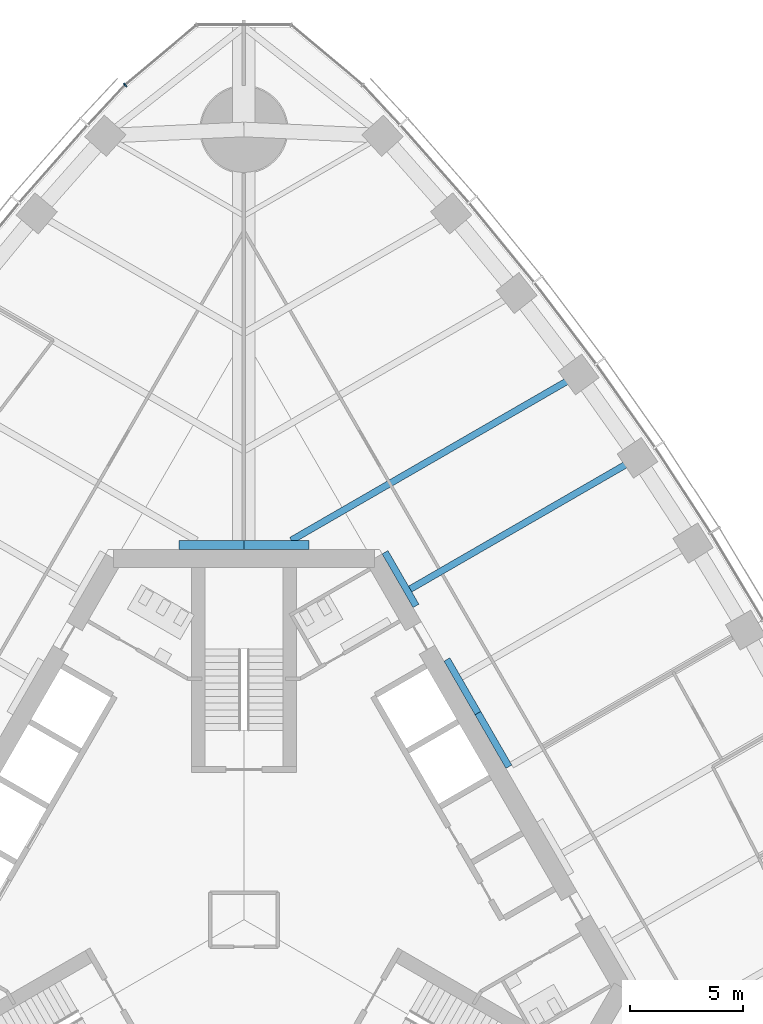
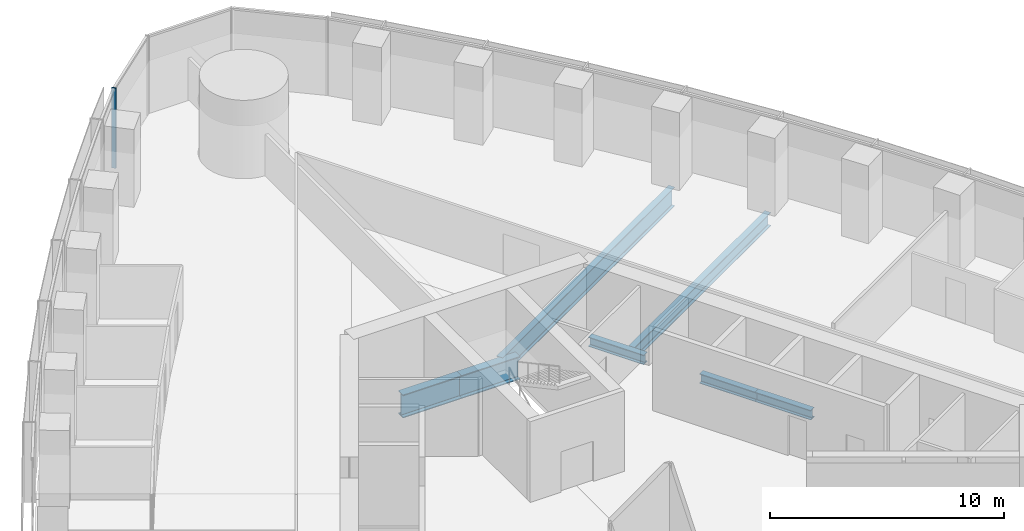
# One storey, part 5 of 19: 7 beams, 1 member, 1 element without a shape of its own.
"""IFC4 building model written with IfcOpenShell, lengths in metres."""

from ifc_helpers import new_model, si_unit, direction, frame, origin, origin_2d, place, context, subcontext, project, spatial, rectangle, i_section, extrude, material, material_profile, profile_set, type_object, element, aggregate, save


model = new_model("IFC4")

# Units and contexts
model_context = context("Model", 3, precision=1e-05, world=origin(), true_north=direction((0.0, 1.0)))
body_context = subcontext(model_context, "Body", "Model", "MODEL_VIEW")
ifc_project = project(units=[si_unit("LENGTHUNIT", "METRE"), si_unit("AREAUNIT", "SQUARE_METRE"), si_unit("VOLUMEUNIT", "CUBIC_METRE"), si_unit("PLANEANGLEUNIT", "RADIAN"), si_unit("MASSUNIT", "GRAM", prefix="KILO")], contexts=[model_context])

# Site, building, storey
site_placement = place(None, origin())
site = spatial("IfcSite", under=ifc_project, at=site_placement, CompositionType="ELEMENT")
building_placement = place(site_placement, origin())
building = spatial("IfcBuilding", under=site, at=building_placement, Name="Trefoil Bronze Tower", CompositionType="ELEMENT")
storey_placement = place(building_placement, frame((0.0, 0.0, 132.5)))
storey = spatial("IfcBuildingStorey", under=building, at=storey_placement, Name="L30", CompositionType="ELEMENT", Elevation=132.5)

# Curtain wall, member
ifc_material_1 = material(Name="Tinted solar-control glass", Category="glass")
curtain_wall_type = type_object("IfcCurtainWallType", Name="Bronze rounded corner curtain wall", PredefinedType="USERDEFINED", material=ifc_material_1)
curtain_wall_placement = place(storey_placement, origin())
curtain_wall = element("IfcCurtainWall", 1, at=curtain_wall_placement, inside=storey, type_object=curtain_wall_type, Name="CW-B L30 K2", ObjectType="CURTAIN WALL", PredefinedType="USERDEFINED")
ifc_material_2 = material(Name="Bronze-finish aluminium", Category="aluminium")
ifc_material_profile_1 = material_profile(ifc_material_2, rectangle(XDim=0.199951171875, YDim=0.06005859375, at=origin_2d()), Name="CW-B mullion")
ifc_profile_set_1 = profile_set([ifc_material_profile_1], Name="Bronze-finish aluminium")
member_type = type_object("IfcMemberType", Name="Bronze rounded corner curtain wall mullion", PredefinedType="MULLION", material=ifc_profile_set_1)
member_placement = place(storey_placement, frame((-5.260498046875, 36.975830078125, 0.0), z_axis=(0.0, 0.0, 1.0), x_axis=(0.642787609687, -0.766044443119, 0.0)))
member = element("IfcMember", 2, at=member_placement, type_object=member_type, Name="CW-B L30 K2 mullion 4", PredefinedType="MULLION", context=body_context, shape_type="SweptSolid", body=[
    extrude(rectangle(XDim=0.199951171875, YDim=0.06005859375, at=origin_2d()), origin(), (0.0, 0.0, 1.0), 4.179931640625),
])
aggregate(curtain_wall, [member])

# Beams
ifc_material_3 = material(Name="Steel C355", Category="steel")
ifc_material_profile_2 = material_profile(ifc_material_3, i_section(OverallWidth=0.300048828125, OverallDepth=0.5, WebThickness=0.014404296875, FlangeThickness=0.028076171875, FilletRadius=0.027099609375, at=origin_2d()), Name="HEB 500")
ifc_profile_set_2 = profile_set([ifc_material_profile_2], Name="Steel C355")
beam_type_1 = type_object("IfcBeamType", Name="Core seat beam HEB 500", PredefinedType="BEAM", material=ifc_profile_set_2)
for number, where, z_axis, x_axis, name in (
    (3, (11.734619140625, 6.77490234375, -0.449951171875), (-0.499969057507, 0.866043267704, 0.0), (-0.866043267704, -0.499969057507, 0.0), "Core seat beam F2/+0 L30"),
    (4, (10.363525390625, 9.14990234375, -0.449951171875), (-0.500035825175, 0.866004719122, 0.0), (-0.866004719122, -0.500035825175, 0.0), "Core seat beam F2/+1 L30"),
    (5, (7.62109375, 13.89990234375, -0.449951171875), (-0.500035825175, 0.866004719122, 0.0), (-0.866004719122, -0.500035825175, 0.0), "Core seat beam F2/+2 L30"),
):
    element("IfcBeam", number, at=place(storey_placement, frame(where, z_axis=z_axis, x_axis=x_axis)), inside=storey, type_object=beam_type_1, Name=name, PredefinedType="BEAM", context=body_context, shape_type="SweptSolid", body=[
        extrude(i_section(OverallWidth=0.300048828125, OverallDepth=0.5, WebThickness=0.014404296875, FlangeThickness=0.028076171875, FilletRadius=0.027099609375, at=origin_2d()), origin(), (0.0, 0.0, 1.0), 2.742431640625),
    ])
ifc_material_4 = material(Name="Steel C355", Category="steel")
ifc_material_profile_3 = material_profile(ifc_material_4, i_section(OverallWidth=0.39990234375, OverallDepth=1.199951171875, WebThickness=0.02001953125, FlangeThickness=0.0400390625, FilletRadius=0.010009765625, at=origin_2d()), Name="WPG 1200")
ifc_profile_set_3 = profile_set([ifc_material_profile_3], Name="Steel C355")
beam_type_2 = type_object("IfcBeamType", Name="Core seat beam WPG 1200", PredefinedType="BEAM", material=ifc_profile_set_3)
for number, where, z_axis, x_axis, name in (
    (6, (2.88671875, 16.60009765625, -0.800048828125), (-1.0, 0.0, 0.0), (0.0, -1.0, 0.0), "Core seat beam F2/+3 L30"),
    (7, (0.0, 16.60009765625, -0.800048828125), (-1.0, 0.0, 0.0), (0.0, -1.0, 0.0), "Core seat beam F3/-3 L30"),
):
    element("IfcBeam", number, at=place(storey_placement, frame(where, z_axis=z_axis, x_axis=x_axis)), inside=storey, type_object=beam_type_2, Name=name, PredefinedType="BEAM", context=body_context, shape_type="SweptSolid", body=[
        extrude(i_section(OverallWidth=0.39990234375, OverallDepth=1.199951171875, WebThickness=0.02001953125, FlangeThickness=0.0400390625, FilletRadius=0.010009765625, at=origin_2d()), origin(), (0.0, 0.0, 1.0), 2.88671875),
    ])
ifc_material_5 = material(Name="Steel C355", Category="steel")
ifc_material_profile_4 = material_profile(ifc_material_5, i_section(OverallWidth=0.300048828125, OverallDepth=1.0, WebThickness=0.01904296875, FlangeThickness=0.035888671875, FilletRadius=0.030029296875, at=origin_2d()), Name="HEB 1000")
ifc_profile_set_4 = profile_set([ifc_material_profile_4], Name="Steel C355")
beam_type_3 = type_object("IfcBeamType", Name="Floor beam HEB 1000", PredefinedType="BEAM", material=ifc_profile_set_4)
beam_1_placement = place(storey_placement, frame((14.825439453125, 24.14794921875, -0.699951171875), z_axis=(-0.866027342682, -0.499996641717, 0.0), x_axis=(0.499996641717, -0.866027342682, 0.0)))
element("IfcBeam", 8, at=beam_1_placement, inside=storey, type_object=beam_type_3, Name="Floor beam F2/+3 L30", PredefinedType="BEAM", context=body_context, shape_type="SweptSolid", body=[
    extrude(i_section(OverallWidth=0.300048828125, OverallDepth=1.0, WebThickness=0.01904296875, FlangeThickness=0.035888671875, FilletRadius=0.030029296875, at=origin_2d()), origin(), (0.0, 0.0, 1.0), 14.69580078125),
])
ifc_material_6 = material(Name="Steel C355", Category="steel")
ifc_material_profile_5 = material_profile(ifc_material_6, i_section(OverallWidth=0.300048828125, OverallDepth=0.699951171875, WebThickness=0.01708984375, FlangeThickness=0.031982421875, FilletRadius=0.027099609375, at=origin_2d()), Name="HEB 700")
ifc_profile_set_5 = profile_set([ifc_material_profile_5], Name="Steel C355")
beam_type_4 = type_object("IfcBeamType", Name="Floor beam HEB 700", PredefinedType="BEAM", material=ifc_profile_set_5)
beam_2_placement = place(storey_placement, frame((17.43017578125, 20.45556640625, -0.550048828125), z_axis=(-0.866030626868, -0.499990953245, 0.0), x_axis=(0.499990953245, -0.866030626868, 0.0)))
element("IfcBeam", 9, at=beam_2_placement, inside=storey, type_object=beam_type_4, Name="Floor beam F2/+2 L30", PredefinedType="BEAM", context=body_context, shape_type="SweptSolid", body=[
    extrude(i_section(OverallWidth=0.300048828125, OverallDepth=0.699951171875, WebThickness=0.01708984375, FlangeThickness=0.031982421875, FilletRadius=0.027099609375, at=origin_2d()), origin(), (0.0, 0.0, 1.0), 11.622802734375),
])

save(model, "model.ifc")
